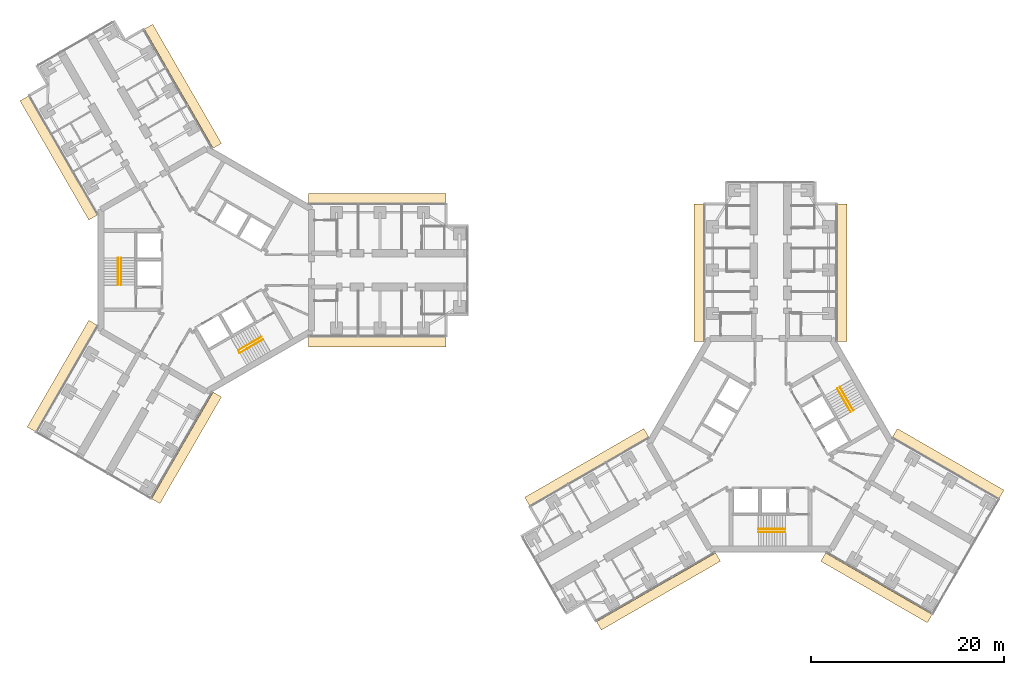
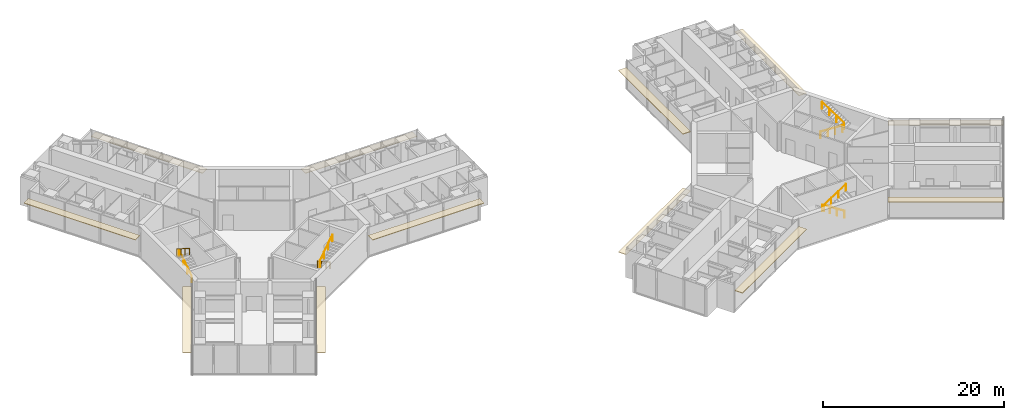
# One storey, part 23 of 23: 12 coverings, 8 railings.
"""IFC4 building model written with IfcOpenShell, lengths in metres."""

from ifc_helpers import new_model, si_unit, direction, frame, origin, origin_2d, place, context, subcontext, project, spatial, rectangle, circle, extrude, material, layer, layer_set, type_object, element, save


model = new_model("IFC4")

# Units and contexts
model_context = context("Model", 3, precision=1e-05, world=origin(), true_north=direction((0.0, 1.0)))
body_context = subcontext(model_context, "Body", "Model", "MODEL_VIEW")
ifc_project = project(units=[si_unit("LENGTHUNIT", "METRE"), si_unit("AREAUNIT", "SQUARE_METRE"), si_unit("VOLUMEUNIT", "CUBIC_METRE"), si_unit("PLANEANGLEUNIT", "RADIAN"), si_unit("MASSUNIT", "GRAM", prefix="KILO")], contexts=[model_context])

# Site, building, storey
site_placement = place(None, origin())
site = spatial("IfcSite", under=ifc_project, at=site_placement, CompositionType="ELEMENT")
building_placement = place(site_placement, origin())
building = spatial("IfcBuilding", under=site, at=building_placement, Name="Upepo Twin Towers", CompositionType="ELEMENT")
storey_placement = place(building_placement, frame((0.0, 0.0, 145.5)))
storey = spatial("IfcBuildingStorey", under=building, at=storey_placement, Name="L35", CompositionType="ELEMENT", Elevation=145.5)

# Coverings
ifc_material_1 = material(Name="Anodised aluminium, pale silver", Category="aluminium")
ifc_layer = layer(ifc_material_1, 0.080078125)
ifc_layer_set = layer_set([ifc_layer], Name="Brise-soleil blade 1000 pale aluminium")
covering_type = type_object("IfcCoveringType", Name="Brise-soleil blade 1000 pale aluminium", PredefinedType="USERDEFINED", material=ifc_layer_set)
for number, where, z_axis, x_axis, name in (
    (1, (17.718505859375, 7.43994140625, 2.909912109375), (0.0, 0.0, 1.0), (1.0, 0.0, 0.0), "T1 L35 wing A brise-soleil L"),
    (2, (17.718505859375, -7.43994140625, 2.909912109375), (0.0, 0.0, 1.0), (1.0, 0.0, 0.0), "T1 L35 wing A brise-soleil R"),
    (3, (-15.302490234375, 11.624755859375, 2.909912109375), (0.0, 0.0, 1.0), (-0.500000015115, 0.866025395058, 0.0), "T1 L35 wing B brise-soleil L"),
    (4, (-2.416015625, 19.064697265625, 2.909912109375), (0.0, 0.0, 1.0), (-0.500000015115, 0.866025395058, 0.0), "T1 L35 wing B brise-soleil R"),
):
    element("IfcCovering", number, at=place(storey_placement, frame(where, z_axis=z_axis, x_axis=x_axis)), inside=storey, type_object=covering_type, Name=name, ObjectType="SUNSHADE", PredefinedType="USERDEFINED", context=body_context, shape_type="SweptSolid", body=[
        extrude(rectangle(XDim=14.262939453125, YDim=1.0, at=origin_2d()), origin(), (0.0, 0.0, 1.0), 0.080078125),
    ])
for number, where, z_axis, x_axis, name in (
    (5, (-2.041015625, -18.415283203125, 2.909912109375), (0.0, 0.0, 1.0), (-0.500000015115, -0.866025395058, 0.0), "T1 L35 wing C brise-soleil L"),
    (6, (-14.927490234375, -10.97509765625, 2.909912109375), (0.0, 0.0, 1.0), (-0.500000015115, -0.866025395058, 0.0), "T1 L35 wing C brise-soleil R"),
):
    element("IfcCovering", number, at=place(storey_placement, frame(where, z_axis=z_axis, x_axis=x_axis)), inside=storey, type_object=covering_type, Name=name, ObjectType="SUNSHADE", PredefinedType="USERDEFINED", context=body_context, shape_type="SweptSolid", body=[
        extrude(rectangle(XDim=12.762939453125, YDim=1.0, at=origin_2d()), origin(), (0.0, 0.0, 1.0), 0.080078125),
    ])
for number, where, z_axis, x_axis, name in (
    (7, (51.06005859375, -0.281494140625, 2.909912109375), (0.0, 0.0, 1.0), (0.0, 1.0, 0.0), "T2 L35 wing A brise-soleil L"),
    (8, (65.93994140625, -0.281494140625, 2.909912109375), (0.0, 0.0, 1.0), (0.0, 1.0, 0.0), "T2 L35 wing A brise-soleil R"),
    (9, (46.875244140625, -33.302490234375, 2.909912109375), (0.0, 0.0, 1.0), (-0.866025395058, -0.500000015115, 0.0), "T2 L35 wing B brise-soleil L"),
    (10, (39.435302734375, -20.416015625, 2.909912109375), (0.0, 0.0, 1.0), (-0.866025395058, -0.500000015115, 0.0), "T2 L35 wing B brise-soleil R"),
):
    element("IfcCovering", number, at=place(storey_placement, frame(where, z_axis=z_axis, x_axis=x_axis)), inside=storey, type_object=covering_type, Name=name, ObjectType="SUNSHADE", PredefinedType="USERDEFINED", context=body_context, shape_type="SweptSolid", body=[
        extrude(rectangle(XDim=14.262939453125, YDim=1.0, at=origin_2d()), origin(), (0.0, 0.0, 1.0), 0.080078125),
    ])
for number, where, z_axis, x_axis, name in (
    (11, (76.915283203125, -20.041015625, 2.909912109375), (0.0, 0.0, 1.0), (0.866025395058, -0.500000015115, 0.0), "T2 L35 wing C brise-soleil L"),
    (12, (69.47509765625, -32.927490234375, 2.909912109375), (0.0, 0.0, 1.0), (0.866025395058, -0.500000015115, 0.0), "T2 L35 wing C brise-soleil R"),
):
    element("IfcCovering", number, at=place(storey_placement, frame(where, z_axis=z_axis, x_axis=x_axis)), inside=storey, type_object=covering_type, Name=name, ObjectType="SUNSHADE", PredefinedType="USERDEFINED", context=body_context, shape_type="SweptSolid", body=[
        extrude(rectangle(XDim=12.762939453125, YDim=1.0, at=origin_2d()), origin(), (0.0, 0.0, 1.0), 0.080078125),
    ])

# Railings
ifc_material_2 = material(Name="Stainless steel", Category="steel")
railing_type = type_object("IfcRailingType", Name="Stair handrail 900", PredefinedType="HANDRAIL", material=ifc_material_2)
railing_1_placement = place(storey_placement, frame((-8.85009765625, -1.52001953125, 0.181884765625)))
element("IfcRailing", 13, at=railing_1_placement, inside=storey, type_object=railing_type, Name="T1 stair S1 L35 handrail 1", PredefinedType="HANDRAIL", context=body_context, shape_type="SweptSolid", body=[
    extrude(circle(Radius=0.02392578125, at=origin_2d()), frame((0.0, 0.0, 0.8759765625), z_axis=(0.0, 0.838705829183, 0.544584733623), x_axis=(-1.0, 0.0, 0.0)), (0.0, 0.0, 1.0), 3.338623046875),
    extrude(circle(Radius=0.02099609375, at=origin_2d()), origin(), (0.0, 0.0, 1.0), 0.851806640625),
    extrude(circle(Radius=0.02099609375, at=origin_2d()), frame((0.0, 0.933349609375, 0.60595703125)), (0.0, 0.0, 1.0), 0.851806640625),
    extrude(circle(Radius=0.02099609375, at=origin_2d()), frame((0.0, 1.86669921875, 1.212158203125)), (0.0, 0.0, 1.0), 0.851806640625),
    extrude(circle(Radius=0.02099609375, at=origin_2d()), frame((0.0, 2.800048828125, 1.818115234375)), (0.0, 0.0, 1.0), 0.851806640625),
])
railing_2_placement = place(storey_placement, frame((-9.158447265625, 1.280029296875, 2.181884765625)))
element("IfcRailing", 14, at=railing_2_placement, inside=storey, type_object=railing_type, Name="T1 stair S1 L35 handrail 2", PredefinedType="HANDRAIL", context=body_context, shape_type="SweptSolid", body=[
    extrude(circle(Radius=0.02392578125, at=origin_2d()), frame((0.0, 0.0, 0.8759765625), z_axis=(0.0, -0.838705829183, 0.544584733623), x_axis=(1.0, 0.0, 0.0)), (0.0, 0.0, 1.0), 3.338623046875),
    extrude(circle(Radius=0.02099609375, at=origin_2d()), origin(), (0.0, 0.0, 1.0), 0.851806640625),
    extrude(circle(Radius=0.02099609375, at=origin_2d()), frame((0.0, -0.933349609375, 0.60595703125)), (0.0, 0.0, 1.0), 0.851806640625),
    extrude(circle(Radius=0.02099609375, at=origin_2d()), frame((0.0, -1.86669921875, 1.212158203125)), (0.0, 0.0, 1.0), 0.851806640625),
    extrude(circle(Radius=0.02099609375, at=origin_2d()), frame((0.0, -2.800048828125, 1.818115234375)), (0.0, 0.0, 1.0), 0.851806640625),
])
railing_3_placement = place(storey_placement, frame((5.741455078125, -6.904296875, 0.181884765625)))
element("IfcRailing", 15, at=railing_3_placement, inside=storey, type_object=railing_type, Name="T1 stair S2 L35 handrail 1", PredefinedType="HANDRAIL", context=body_context, shape_type="SweptSolid", body=[
    extrude(circle(Radius=0.02392578125, at=origin_2d()), frame((0.0, 0.0, 0.8759765625), z_axis=(-0.726348578268, -0.419370693282, 0.544560340518), x_axis=(0.500011755427, -0.866018616679, 0.0)), (0.0, 0.0, 1.0), 3.338623046875),
    extrude(circle(Radius=0.02099609375, at=origin_2d()), origin(), (0.0, 0.0, 1.0), 0.851806640625),
    extrude(circle(Radius=0.02099609375, at=origin_2d()), frame((-0.808349609375, -0.466796875, 0.60595703125)), (0.0, 0.0, 1.0), 0.851806640625),
    extrude(circle(Radius=0.02099609375, at=origin_2d()), frame((-1.61669921875, -0.933349609375, 1.212158203125)), (0.0, 0.0, 1.0), 0.851806640625),
    extrude(circle(Radius=0.02099609375, at=origin_2d()), frame((-2.425048828125, -1.400146484375, 1.818115234375)), (0.0, 0.0, 1.0), 0.851806640625),
])
railing_4_placement = place(storey_placement, frame((3.470703125, -8.5712890625, 2.181884765625)))
element("IfcRailing", 16, at=railing_4_placement, inside=storey, type_object=railing_type, Name="T1 stair S2 L35 handrail 2", PredefinedType="HANDRAIL", context=body_context, shape_type="SweptSolid", body=[
    extrude(circle(Radius=0.02392578125, at=origin_2d()), frame((0.0, 0.0, 0.8759765625), z_axis=(0.726336304947, 0.419332699614, 0.544605966869), x_axis=(-0.49998411664, 0.866034573852, 0.0)), (0.0, 0.0, 1.0), 3.33837890625),
    extrude(circle(Radius=0.02099609375, at=origin_2d()), origin(), (0.0, 0.0, 1.0), 0.851806640625),
    extrude(circle(Radius=0.02099609375, at=origin_2d()), frame((0.808349609375, 0.466552734375, 0.60595703125)), (0.0, 0.0, 1.0), 0.851806640625),
    extrude(circle(Radius=0.02099609375, at=origin_2d()), frame((1.616455078125, 0.933349609375, 1.212158203125)), (0.0, 0.0, 1.0), 0.851806640625),
    extrude(circle(Radius=0.02099609375, at=origin_2d()), frame((2.4248046875, 1.39990234375, 1.818115234375)), (0.0, 0.0, 1.0), 0.851806640625),
])
railing_5_placement = place(storey_placement, frame((60.02001953125, -26.85009765625, 0.181884765625)))
element("IfcRailing", 17, at=railing_5_placement, inside=storey, type_object=railing_type, Name="T2 stair S1 L35 handrail 1", PredefinedType="HANDRAIL", context=body_context, shape_type="SweptSolid", body=[
    extrude(circle(Radius=0.02392578125, at=origin_2d()), frame((0.0, 0.0, 0.8759765625), z_axis=(-0.838705829183, 0.0, 0.544584733623), x_axis=(0.0, -1.0, 0.0)), (0.0, 0.0, 1.0), 3.338623046875),
    extrude(circle(Radius=0.02099609375, at=origin_2d()), origin(), (0.0, 0.0, 1.0), 0.851806640625),
    extrude(circle(Radius=0.02099609375, at=origin_2d()), frame((-0.933349609375, 0.0, 0.60595703125)), (0.0, 0.0, 1.0), 0.851806640625),
    extrude(circle(Radius=0.02099609375, at=origin_2d()), frame((-1.86669921875, 0.0, 1.212158203125)), (0.0, 0.0, 1.0), 0.851806640625),
    extrude(circle(Radius=0.02099609375, at=origin_2d()), frame((-2.800048828125, 0.0, 1.818115234375)), (0.0, 0.0, 1.0), 0.851806640625),
])
railing_6_placement = place(storey_placement, frame((57.219970703125, -27.158447265625, 2.181884765625)))
element("IfcRailing", 18, at=railing_6_placement, inside=storey, type_object=railing_type, Name="T2 stair S1 L35 handrail 2", PredefinedType="HANDRAIL", context=body_context, shape_type="SweptSolid", body=[
    extrude(circle(Radius=0.02392578125, at=origin_2d()), frame((0.0, 0.0, 0.8759765625), z_axis=(0.838705829183, 0.0, 0.544584733623), x_axis=(0.0, 1.0, 0.0)), (0.0, 0.0, 1.0), 3.338623046875),
    extrude(circle(Radius=0.02099609375, at=origin_2d()), origin(), (0.0, 0.0, 1.0), 0.851806640625),
    extrude(circle(Radius=0.02099609375, at=origin_2d()), frame((0.933349609375, 0.0, 0.60595703125)), (0.0, 0.0, 1.0), 0.851806640625),
    extrude(circle(Radius=0.02099609375, at=origin_2d()), frame((1.86669921875, 0.0, 1.212158203125)), (0.0, 0.0, 1.0), 0.851806640625),
    extrude(circle(Radius=0.02099609375, at=origin_2d()), frame((2.800048828125, 0.0, 1.818115234375)), (0.0, 0.0, 1.0), 0.851806640625),
])
railing_7_placement = place(storey_placement, frame((65.404296875, -12.258544921875, 0.181884765625)))
element("IfcRailing", 19, at=railing_7_placement, inside=storey, type_object=railing_type, Name="T2 stair S2 L35 handrail 1", PredefinedType="HANDRAIL", context=body_context, shape_type="SweptSolid", body=[
    extrude(circle(Radius=0.02392578125, at=origin_2d()), frame((0.0, 0.0, 0.8759765625), z_axis=(0.419370693282, -0.726348578268, 0.544560340518), x_axis=(0.866018616679, 0.500011755427, 0.0)), (0.0, 0.0, 1.0), 3.338623046875),
    extrude(circle(Radius=0.02099609375, at=origin_2d()), origin(), (0.0, 0.0, 1.0), 0.851806640625),
    extrude(circle(Radius=0.02099609375, at=origin_2d()), frame((0.466796875, -0.808349609375, 0.60595703125)), (0.0, 0.0, 1.0), 0.851806640625),
    extrude(circle(Radius=0.02099609375, at=origin_2d()), frame((0.933349609375, -1.61669921875, 1.212158203125)), (0.0, 0.0, 1.0), 0.851806640625),
    extrude(circle(Radius=0.02099609375, at=origin_2d()), frame((1.400146484375, -2.425048828125, 1.818115234375)), (0.0, 0.0, 1.0), 0.851806640625),
])
railing_8_placement = place(storey_placement, frame((67.0712890625, -14.529296875, 2.181884765625)))
element("IfcRailing", 20, at=railing_8_placement, inside=storey, type_object=railing_type, Name="T2 stair S2 L35 handrail 2", PredefinedType="HANDRAIL", context=body_context, shape_type="SweptSolid", body=[
    extrude(circle(Radius=0.02392578125, at=origin_2d()), frame((0.0, 0.0, 0.8759765625), z_axis=(-0.419332699614, 0.726336304947, 0.544605966869), x_axis=(-0.866034573852, -0.49998411664, 0.0)), (0.0, 0.0, 1.0), 3.33837890625),
    extrude(circle(Radius=0.02099609375, at=origin_2d()), origin(), (0.0, 0.0, 1.0), 0.851806640625),
    extrude(circle(Radius=0.02099609375, at=origin_2d()), frame((-0.466552734375, 0.808349609375, 0.60595703125)), (0.0, 0.0, 1.0), 0.851806640625),
    extrude(circle(Radius=0.02099609375, at=origin_2d()), frame((-0.933349609375, 1.616455078125, 1.212158203125)), (0.0, 0.0, 1.0), 0.851806640625),
    extrude(circle(Radius=0.02099609375, at=origin_2d()), frame((-1.39990234375, 2.4248046875, 1.818115234375)), (0.0, 0.0, 1.0), 0.851806640625),
])

save(model, "model.ifc")
